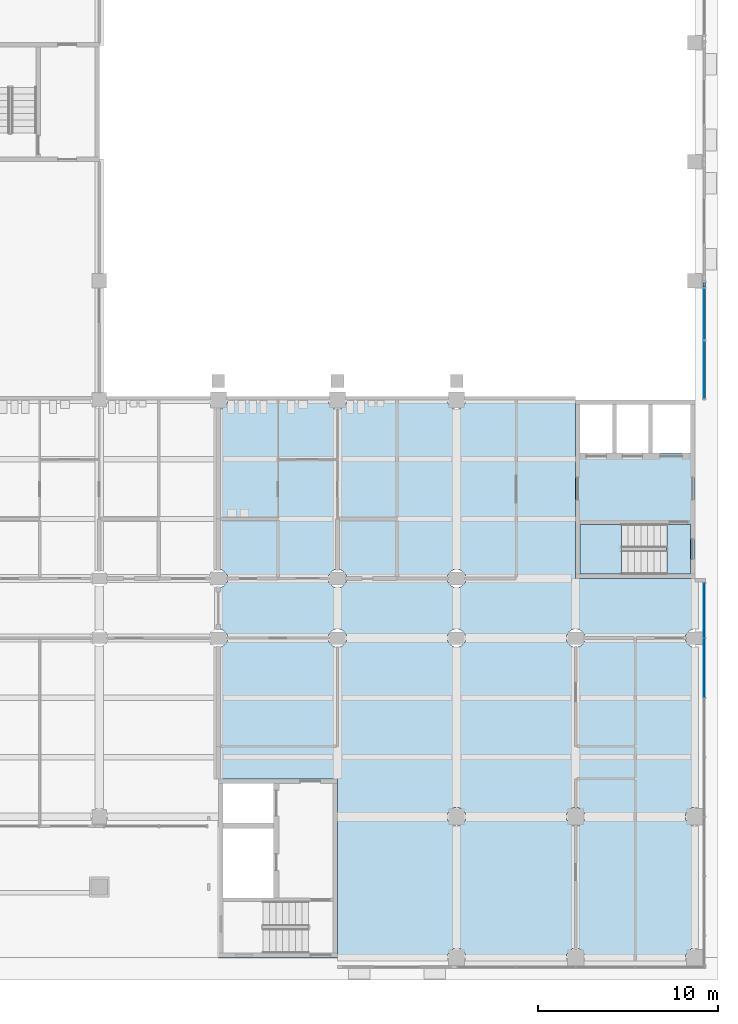
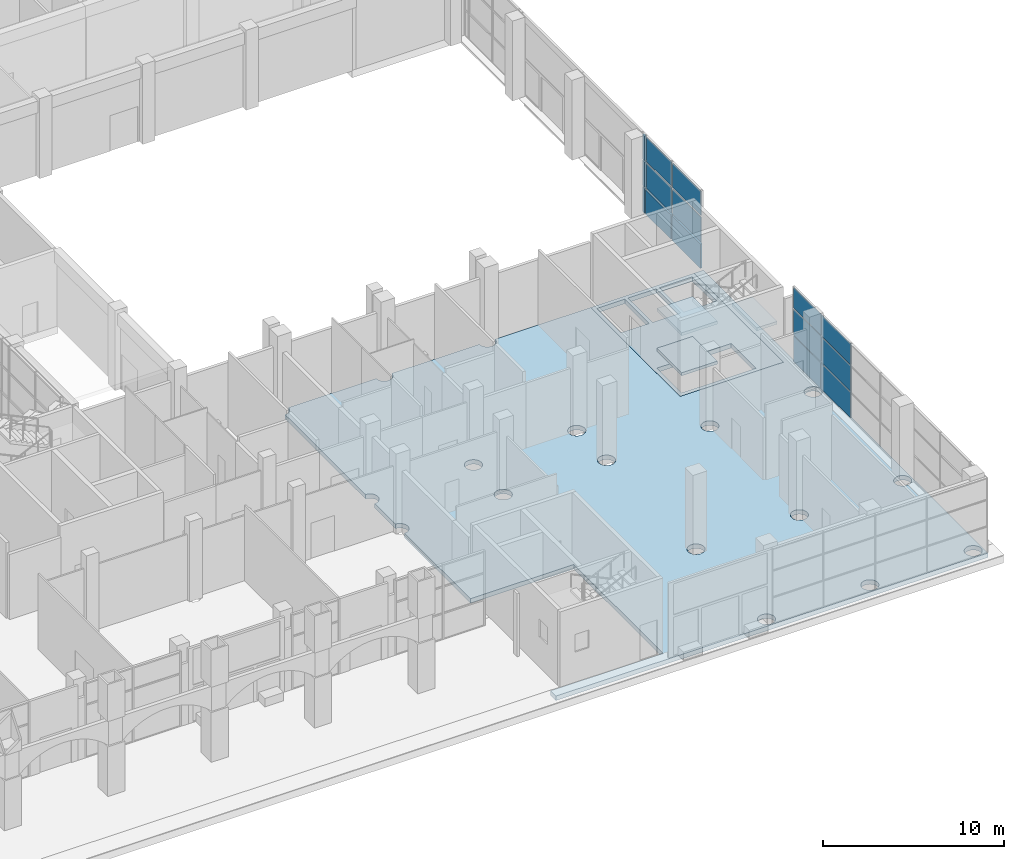
# One storey, part 22 of 85: 15 plates, 5 slabs, 3 elements without a shape of their own.
"""IFC4 building model written with IfcOpenShell, lengths in metres."""

from ifc_helpers import new_model, si_unit, direction, frame, origin, origin_2d, place, context, subcontext, project, spatial, polyline, rectangle, outline, extrude, material, layer, layer_set, type_object, element, aggregate, save


model = new_model("IFC4")

# Units and contexts
model_context = context("Model", 3, precision=1e-05, world=origin(), true_north=direction((0.0, 1.0)))
body_context = subcontext(model_context, "Body", "Model", "MODEL_VIEW")
ifc_project = project(units=[si_unit("LENGTHUNIT", "METRE"), si_unit("AREAUNIT", "SQUARE_METRE"), si_unit("VOLUMEUNIT", "CUBIC_METRE"), si_unit("PLANEANGLEUNIT", "RADIAN"), si_unit("MASSUNIT", "GRAM", prefix="KILO")], contexts=[model_context])

# Site, building, storey
site_placement = place(None, origin())
site = spatial("IfcSite", under=ifc_project, at=site_placement, CompositionType="ELEMENT")
building_placement = place(site_placement, origin())
building = spatial("IfcBuilding", under=site, at=building_placement, Name="Lantern Court Research Institute", CompositionType="ELEMENT")
storey_placement = place(building_placement, origin())
storey = spatial("IfcBuildingStorey", under=building, at=storey_placement, Name="L00", CompositionType="ELEMENT", Elevation=0.0)

# Curtain wall, plates
ifc_material_1 = material(Name="Aluminium alloy 6063-T6", Category="aluminium")
curtain_wall_type_1 = type_object("IfcCurtainWallType", Name="Curtain wall 6600 x 5400 x 150 aluminium frame", PredefinedType="NOTDEFINED", material=ifc_material_1)
curtain_wall_1_placement = place(storey_placement, origin())
curtain_wall_1 = element("IfcCurtainWall", 1, at=curtain_wall_1_placement, inside=storey, type_object=curtain_wall_type_1, Name="Curtain wall CW001", PredefinedType="NOTDEFINED")
ifc_material_2 = material(Name="Fire-resisting insulated aluminium spandrel panel", Category="aluminium")
ifc_layer_1 = layer(ifc_material_2, 0.1201171875)
ifc_layer_set_1 = layer_set([ifc_layer_1], Name="Fire-resisting insulated aluminium spandrel panel")
plate_type_1 = type_object("IfcPlateType", Name="Fire-resisting spandrel panel 120 mm", PredefinedType="CURTAIN_PANEL", material=ifc_layer_set_1)
plate_1_placement = place(storey_placement, frame((79.72509765625, 24.77490234375, 0.10009765625), z_axis=(0.0, 0.0, 1.0), x_axis=(0.0, -1.0, 0.0)))
plate_1 = element("IfcPlate", 2, at=plate_1_placement, type_object=plate_type_1, Name="CW001 spandrel panel 1.1", PredefinedType="CURTAIN_PANEL", context=body_context, shape_type="SweptSolid", body=[
    extrude(rectangle(XDim=3.14990234375, YDim=0.1201171875, at=origin_2d()), origin(), (0.0, 0.0, 1.0), 1.64990234375),
])
plate_2_placement = place(storey_placement, frame((79.72509765625, 27.85009765625, 0.10009765625), z_axis=(0.0, 0.0, 1.0), x_axis=(0.0, -1.0, 0.0)))
plate_2 = element("IfcPlate", 3, at=plate_2_placement, type_object=plate_type_1, Name="CW001 spandrel panel 2.1", PredefinedType="CURTAIN_PANEL", context=body_context, shape_type="SweptSolid", body=[
    extrude(rectangle(XDim=2.800048828125, YDim=0.1201171875, at=origin_2d()), origin(), (0.0, 0.0, 1.0), 1.64990234375),
])
plate_3_placement = place(storey_placement, frame((79.72509765625, 29.47509765625, 0.10009765625), z_axis=(0.0, 0.0, 1.0), x_axis=(0.0, -1.0, 0.0)))
plate_3 = element("IfcPlate", 4, at=plate_3_placement, type_object=plate_type_1, Name="CW001 spandrel panel 3.1", PredefinedType="CURTAIN_PANEL", context=body_context, shape_type="SweptSolid", body=[
    extrude(rectangle(XDim=0.25, YDim=0.1201171875, at=origin_2d()), origin(), (0.0, 0.0, 1.0), 1.64990234375),
])
plate_4_placement = place(storey_placement, frame((79.72509765625, 29.47509765625, 1.85009765625), z_axis=(0.0, 0.0, 1.0), x_axis=(0.0, -1.0, 0.0)))
plate_4 = element("IfcPlate", 5, at=plate_4_placement, type_object=plate_type_1, Name="CW001 spandrel panel 3.2", PredefinedType="CURTAIN_PANEL", context=body_context, shape_type="SweptSolid", body=[
    extrude(rectangle(XDim=0.25, YDim=0.1201171875, at=origin_2d()), origin(), (0.0, 0.0, 1.0), 1.699951171875),
])
plate_5_placement = place(storey_placement, frame((79.72509765625, 29.47509765625, 3.650146484375), z_axis=(0.0, 0.0, 1.0), x_axis=(0.0, -1.0, 0.0)))
plate_5 = element("IfcPlate", 6, at=plate_5_placement, type_object=plate_type_1, Name="CW001 spandrel panel 3.3", PredefinedType="CURTAIN_PANEL", context=body_context, shape_type="SweptSolid", body=[
    extrude(rectangle(XDim=0.25, YDim=0.1201171875, at=origin_2d()), origin(), (0.0, 0.0, 1.0), 1.64990234375),
])

ifc_material_3 = material(Name="Aluminium alloy 6063-T6", Category="aluminium")
curtain_wall_type_2 = type_object("IfcCurtainWallType", Name="Curtain wall 21250 x 5100 x 150 aluminium frame", PredefinedType="NOTDEFINED", material=ifc_material_3)
curtain_wall_2_placement = place(storey_placement, origin())
curtain_wall_2 = element("IfcCurtainWall", 7, at=curtain_wall_2_placement, inside=storey, type_object=curtain_wall_type_2, Name="Curtain wall CW014", PredefinedType="NOTDEFINED")
ifc_material_4 = material(Name="Insulated aluminium spandrel panel", Category="aluminium")
ifc_layer_2 = layer(ifc_material_4, 0.080078125)
ifc_layer_set_2 = layer_set([ifc_layer_2], Name="Insulated aluminium spandrel panel")
plate_type_2 = type_object("IfcPlateType", Name="Insulated spandrel panel 80 mm", PredefinedType="CURTAIN_PANEL", material=ifc_layer_set_2)
plate_6_placement = place(storey_placement, frame((79.72509765625, 8.25, 0.06005859375), z_axis=(0.0, 0.0, 1.0), x_axis=(0.0, -1.0, 0.0)))
plate_6 = element("IfcPlate", 8, at=plate_6_placement, type_object=plate_type_2, Name="CW014 spandrel panel 6.1", PredefinedType="CURTAIN_PANEL", context=body_context, shape_type="SweptSolid", body=[
    extrude(rectangle(XDim=3.239990234375, YDim=0.080078125, at=origin_2d()), origin(), (0.0, 0.0, 1.0), 1.7099609375),
])
plate_7_placement = place(storey_placement, frame((79.72509765625, 11.43505859375, 0.06005859375), z_axis=(0.0, 0.0, 1.0), x_axis=(0.0, -1.0, 0.0)))
plate_7 = element("IfcPlate", 9, at=plate_7_placement, type_object=plate_type_2, Name="CW014 spandrel panel 7.1", PredefinedType="CURTAIN_PANEL", context=body_context, shape_type="SweptSolid", body=[
    extrude(rectangle(XDim=3.010009765625, YDim=0.080078125, at=origin_2d()), origin(), (0.0, 0.0, 1.0), 1.7099609375),
])

# Plate
ifc_material_5 = material(Name="Laminated low-emissivity glass", Category="glass")
ifc_layer_3 = layer(ifc_material_5, 0.028076171875)
ifc_layer_set_3 = layer_set([ifc_layer_3], Name="Laminated low-emissivity glass")
plate_type_3 = type_object("IfcPlateType", Name="Laminated low-emissivity unit 28 mm", PredefinedType="CURTAIN_PANEL", material=ifc_layer_set_3)
plate_8_placement = place(storey_placement, frame((79.72509765625, 24.77490234375, 1.85009765625), z_axis=(0.0, 0.0, 1.0), x_axis=(0.0, -1.0, 0.0)))
plate_8 = element("IfcPlate", 10, at=plate_8_placement, type_object=plate_type_3, Name="CW001 glazed panel 1.2", PredefinedType="CURTAIN_PANEL", context=body_context, shape_type="SweptSolid", body=[
    extrude(rectangle(XDim=3.14990234375, YDim=0.028076171875, at=origin_2d()), origin(), (0.0, 0.0, 1.0), 1.699951171875),
])

plate_9_placement = place(storey_placement, frame((79.72509765625, 24.77490234375, 3.650146484375), z_axis=(0.0, 0.0, 1.0), x_axis=(0.0, -1.0, 0.0)))
plate_9 = element("IfcPlate", 11, at=plate_9_placement, type_object=plate_type_3, Name="CW001 glazed panel 1.3", PredefinedType="CURTAIN_PANEL", context=body_context, shape_type="SweptSolid", body=[
    extrude(rectangle(XDim=3.14990234375, YDim=0.028076171875, at=origin_2d()), origin(), (0.0, 0.0, 1.0), 1.64990234375),
])

plate_10_placement = place(storey_placement, frame((79.72509765625, 27.85009765625, 1.85009765625), z_axis=(0.0, 0.0, 1.0), x_axis=(0.0, -1.0, 0.0)))
plate_10 = element("IfcPlate", 12, at=plate_10_placement, type_object=plate_type_3, Name="CW001 glazed panel 2.2", PredefinedType="CURTAIN_PANEL", context=body_context, shape_type="SweptSolid", body=[
    extrude(rectangle(XDim=2.800048828125, YDim=0.028076171875, at=origin_2d()), origin(), (0.0, 0.0, 1.0), 1.699951171875),
])

plate_11_placement = place(storey_placement, frame((79.72509765625, 27.85009765625, 3.650146484375), z_axis=(0.0, 0.0, 1.0), x_axis=(0.0, -1.0, 0.0)))
plate_11 = element("IfcPlate", 13, at=plate_11_placement, type_object=plate_type_3, Name="CW001 glazed panel 2.3", PredefinedType="CURTAIN_PANEL", context=body_context, shape_type="SweptSolid", body=[
    extrude(rectangle(XDim=2.800048828125, YDim=0.028076171875, at=origin_2d()), origin(), (0.0, 0.0, 1.0), 1.64990234375),
])

aggregate(curtain_wall_1, [plate_1, plate_8, plate_9, plate_2, plate_10, plate_11, plate_3, plate_4, plate_5])

# Slabs
ifc_material_6 = material(Name="Concrete C35/45", Category="concrete")
ifc_layer_4 = layer(ifc_material_6, 0.300048828125)
ifc_layer_set_4 = layer_set([ifc_layer_4], Name="Concrete C35/45")
slab_type_1 = type_object("IfcSlabType", Name="RC core floor slab 300", PredefinedType="FLOOR", material=ifc_layer_set_4)
slab_1_placement = place(storey_placement, frame((0.0, 0.0, -0.300048828125)))
element("IfcSlab", 14, at=slab_1_placement, inside=storey, type_object=slab_type_1, Name="Floor of core TC-E", PredefinedType="FLOOR", context=body_context, shape_type="SweptSolid", body=[
    extrude(outline(polyline([(72.60009765625, 13.199951171875), (79.199951171875, 13.199951171875), (79.199951171875, 23.10009765625), (72.60009765625, 23.10009765625), (72.60009765625, 13.199951171875)]), holes=[polyline([(77.60009765625, 16.199951171875), (72.85009765625, 16.199951171875), (72.85009765625, 13.449951171875), (77.60009765625, 13.449951171875), (77.60009765625, 16.199951171875)]), polyline([(72.85009765625, 20.14990234375), (74.64990234375, 20.14990234375), (74.64990234375, 22.85009765625), (72.85009765625, 22.85009765625), (72.85009765625, 20.14990234375)]), polyline([(74.85009765625, 20.14990234375), (76.64990234375, 20.14990234375), (76.64990234375, 22.85009765625), (74.85009765625, 22.85009765625), (74.85009765625, 20.14990234375)]), polyline([(76.85009765625, 20.14990234375), (78.949951171875, 20.14990234375), (78.949951171875, 22.85009765625), (76.85009765625, 22.85009765625), (76.85009765625, 20.14990234375)])]), origin(), (0.0, 0.0, 1.0), 0.300048828125),
])
ifc_material_7 = material(Name="Concrete C35/45", Category="concrete")
ifc_layer_5 = layer(ifc_material_7, 0.300048828125)
ifc_layer_set_5 = layer_set([ifc_layer_5], Name="Concrete C35/45")
slab_type_2 = type_object("IfcSlabType", Name="RC floor slab 300 over car park", PredefinedType="FLOOR", material=ifc_layer_set_5)
slab_2_placement = place(storey_placement, frame((0.0, 0.0, -0.300048828125)))
element("IfcSlab", 15, at=slab_2_placement, inside=storey, type_object=slab_type_2, Name="Floor slab L00 Dry Laboratory and Clean Room Tower", PredefinedType="FLOOR", context=body_context, shape_type="SweptSolid", body=[
    extrude(outline(polyline([(52.800048828125, -7.800048828125), (52.199951171875, -7.800048828125), (52.199951171875, -8.39990234375), (79.800048828125, -8.39990234375), (79.800048828125, -7.800048828125), (79.800048828125, 23.10009765625), (79.199951171875, 23.10009765625), (79.199951171875, 13.199951171875), (72.60009765625, 13.199951171875), (72.60009765625, 23.10009765625), (66.50244140625, 23.10009765625), (66.492919921875, 23.001953125), (66.464111328125, 22.90771484375), (66.417724609375, 22.82080078125), (66.355224609375, 22.74462890625), (66.279052734375, 22.682373046875), (66.1923828125, 22.6357421875), (66.097900390625, 22.607177734375), (66.0, 22.59765625), (65.902099609375, 22.607177734375), (65.8076171875, 22.6357421875), (65.720947265625, 22.682373046875), (65.644775390625, 22.74462890625), (65.582275390625, 22.82080078125), (65.535888671875, 22.90771484375), (65.507080078125, 23.001953125), (65.49755859375, 23.10009765625), (59.90234375, 23.10009765625), (59.892822265625, 23.001953125), (59.8642578125, 22.90771484375), (59.817626953125, 22.82080078125), (59.75537109375, 22.74462890625), (59.67919921875, 22.682373046875), (59.59228515625, 22.6357421875), (59.498046875, 22.607177734375), (59.39990234375, 22.59765625), (59.302001953125, 22.607177734375), (59.207763671875, 22.6357421875), (59.120849609375, 22.682373046875), (59.044677734375, 22.74462890625), (58.982421875, 22.82080078125), (58.935791015625, 22.90771484375), (58.9072265625, 23.001953125), (58.897705078125, 23.10009765625), (53.302490234375, 23.10009765625), (53.292724609375, 23.001953125), (53.26416015625, 22.90771484375), (53.2177734375, 22.82080078125), (53.1552734375, 22.74462890625), (53.0791015625, 22.682373046875), (52.9921875, 22.6357421875), (52.89794921875, 22.607177734375), (52.800048828125, 22.59765625), (52.800048828125, 13.702392578125), (52.89794921875, 13.69287109375), (52.9921875, 13.664306640625), (53.0791015625, 13.61767578125), (53.1552734375, 13.555419921875), (53.2177734375, 13.47900390625), (53.26416015625, 13.392333984375), (53.292724609375, 13.298095703125), (53.302490234375, 13.199951171875), (53.292724609375, 13.10205078125), (53.26416015625, 13.0078125), (53.2177734375, 12.9208984375), (53.1552734375, 12.8447265625), (53.0791015625, 12.7822265625), (52.9921875, 12.73583984375), (52.89794921875, 12.707275390625), (52.800048828125, 12.697509765625), (52.800048828125, 10.40234375), (52.89794921875, 10.392822265625), (52.9921875, 10.3642578125), (53.0791015625, 10.317626953125), (53.1552734375, 10.25537109375), (53.2177734375, 10.17919921875), (53.26416015625, 10.09228515625), (53.292724609375, 9.998046875), (53.302490234375, 9.89990234375), (53.292724609375, 9.802001953125), (53.26416015625, 9.707763671875), (53.2177734375, 9.620849609375), (53.1552734375, 9.544677734375), (53.0791015625, 9.482421875), (52.9921875, 9.435791015625), (52.89794921875, 9.4072265625), (52.800048828125, 9.397705078125), (52.800048828125, 2.10009765625), (59.39990234375, 2.10009765625), (59.39990234375, -7.800048828125), (52.800048828125, -7.800048828125)]), holes=[polyline([(59.817626953125, 9.620849609375), (59.75537109375, 9.544677734375), (59.67919921875, 9.482421875), (59.59228515625, 9.435791015625), (59.498046875, 9.4072265625), (59.39990234375, 9.397705078125), (59.302001953125, 9.4072265625), (59.207763671875, 9.435791015625), (59.120849609375, 9.482421875), (59.044677734375, 9.544677734375), (58.982421875, 9.620849609375), (58.935791015625, 9.707763671875), (58.9072265625, 9.802001953125), (58.897705078125, 9.89990234375), (58.9072265625, 9.998046875), (58.935791015625, 10.09228515625), (58.982421875, 10.17919921875), (59.044677734375, 10.25537109375), (59.120849609375, 10.317626953125), (59.207763671875, 10.3642578125), (59.302001953125, 10.392822265625), (59.39990234375, 10.40234375), (59.498046875, 10.392822265625), (59.59228515625, 10.3642578125), (59.67919921875, 10.317626953125), (59.75537109375, 10.25537109375), (59.817626953125, 10.17919921875), (59.8642578125, 10.09228515625), (59.892822265625, 9.998046875), (59.90234375, 9.89990234375), (59.892822265625, 9.802001953125), (59.8642578125, 9.707763671875), (59.817626953125, 9.620849609375)]), polyline([(59.817626953125, 12.9208984375), (59.75537109375, 12.8447265625), (59.67919921875, 12.7822265625), (59.59228515625, 12.73583984375), (59.498046875, 12.707275390625), (59.39990234375, 12.697509765625), (59.302001953125, 12.707275390625), (59.207763671875, 12.73583984375), (59.120849609375, 12.7822265625), (59.044677734375, 12.8447265625), (58.982421875, 12.9208984375), (58.935791015625, 13.0078125), (58.9072265625, 13.10205078125), (58.897705078125, 13.199951171875), (58.9072265625, 13.298095703125), (58.935791015625, 13.392333984375), (58.982421875, 13.47900390625), (59.044677734375, 13.555419921875), (59.120849609375, 13.61767578125), (59.207763671875, 13.664306640625), (59.302001953125, 13.69287109375), (59.39990234375, 13.702392578125), (59.498046875, 13.69287109375), (59.59228515625, 13.664306640625), (59.67919921875, 13.61767578125), (59.75537109375, 13.555419921875), (59.817626953125, 13.47900390625), (59.8642578125, 13.392333984375), (59.892822265625, 13.298095703125), (59.90234375, 13.199951171875), (59.892822265625, 13.10205078125), (59.8642578125, 13.0078125), (59.817626953125, 12.9208984375)]), polyline([(66.417724609375, -8.0791015625), (66.355224609375, -8.1552734375), (66.279052734375, -8.2177734375), (66.1923828125, -8.26416015625), (66.097900390625, -8.292724609375), (66.0, -8.302490234375), (65.902099609375, -8.292724609375), (65.8076171875, -8.26416015625), (65.720947265625, -8.2177734375), (65.644775390625, -8.1552734375), (65.582275390625, -8.0791015625), (65.535888671875, -7.9921875), (65.507080078125, -7.89794921875), (65.49755859375, -7.800048828125), (65.507080078125, -7.701904296875), (65.535888671875, -7.607666015625), (65.582275390625, -7.52099609375), (65.644775390625, -7.444580078125), (65.720947265625, -7.38232421875), (65.8076171875, -7.335693359375), (65.902099609375, -7.30712890625), (66.0, -7.297607421875), (66.097900390625, -7.30712890625), (66.1923828125, -7.335693359375), (66.279052734375, -7.38232421875), (66.355224609375, -7.444580078125), (66.417724609375, -7.52099609375), (66.464111328125, -7.607666015625), (66.492919921875, -7.701904296875), (66.50244140625, -7.800048828125), (66.492919921875, -7.89794921875), (66.464111328125, -7.9921875), (66.417724609375, -8.0791015625)]), polyline([(73.017578125, -8.0791015625), (72.955322265625, -8.1552734375), (72.879150390625, -8.2177734375), (72.792236328125, -8.26416015625), (72.697998046875, -8.292724609375), (72.60009765625, -8.302490234375), (72.501953125, -8.292724609375), (72.40771484375, -8.26416015625), (72.32080078125, -8.2177734375), (72.24462890625, -8.1552734375), (72.182373046875, -8.0791015625), (72.1357421875, -7.9921875), (72.107177734375, -7.89794921875), (72.09765625, -7.800048828125), (72.107177734375, -7.701904296875), (72.1357421875, -7.607666015625), (72.182373046875, -7.52099609375), (72.24462890625, -7.444580078125), (72.32080078125, -7.38232421875), (72.40771484375, -7.335693359375), (72.501953125, -7.30712890625), (72.60009765625, -7.297607421875), (72.697998046875, -7.30712890625), (72.792236328125, -7.335693359375), (72.879150390625, -7.38232421875), (72.955322265625, -7.444580078125), (73.017578125, -7.52099609375), (73.064208984375, -7.607666015625), (73.0927734375, -7.701904296875), (73.102294921875, -7.800048828125), (73.0927734375, -7.89794921875), (73.064208984375, -7.9921875), (73.017578125, -8.0791015625)]), polyline([(79.61767578125, -8.0791015625), (79.555419921875, -8.1552734375), (79.47900390625, -8.2177734375), (79.392333984375, -8.26416015625), (79.298095703125, -8.292724609375), (79.199951171875, -8.302490234375), (79.10205078125, -8.292724609375), (79.0078125, -8.26416015625), (78.9208984375, -8.2177734375), (78.8447265625, -8.1552734375), (78.7822265625, -8.0791015625), (78.73583984375, -7.9921875), (78.707275390625, -7.89794921875), (78.697509765625, -7.800048828125), (78.707275390625, -7.701904296875), (78.73583984375, -7.607666015625), (78.7822265625, -7.52099609375), (78.8447265625, -7.444580078125), (78.9208984375, -7.38232421875), (79.0078125, -7.335693359375), (79.10205078125, -7.30712890625), (79.199951171875, -7.297607421875), (79.298095703125, -7.30712890625), (79.392333984375, -7.335693359375), (79.47900390625, -7.38232421875), (79.555419921875, -7.444580078125), (79.61767578125, -7.52099609375), (79.664306640625, -7.607666015625), (79.69287109375, -7.701904296875), (79.702392578125, -7.800048828125), (79.69287109375, -7.89794921875), (79.664306640625, -7.9921875), (79.61767578125, -8.0791015625)]), polyline([(66.417724609375, -0.279052734375), (66.355224609375, -0.355224609375), (66.279052734375, -0.417724609375), (66.1923828125, -0.464111328125), (66.097900390625, -0.492919921875), (66.0, -0.50244140625), (65.902099609375, -0.492919921875), (65.8076171875, -0.464111328125), (65.720947265625, -0.417724609375), (65.644775390625, -0.355224609375), (65.582275390625, -0.279052734375), (65.535888671875, -0.1923828125), (65.507080078125, -0.097900390625), (65.49755859375, 0.0), (65.507080078125, 0.097900390625), (65.535888671875, 0.1923828125), (65.582275390625, 0.279052734375), (65.644775390625, 0.355224609375), (65.720947265625, 0.417724609375), (65.8076171875, 0.464111328125), (65.902099609375, 0.492919921875), (66.0, 0.50244140625), (66.097900390625, 0.492919921875), (66.1923828125, 0.464111328125), (66.279052734375, 0.417724609375), (66.355224609375, 0.355224609375), (66.417724609375, 0.279052734375), (66.464111328125, 0.1923828125), (66.492919921875, 0.097900390625), (66.50244140625, 0.0), (66.492919921875, -0.097900390625), (66.464111328125, -0.1923828125), (66.417724609375, -0.279052734375)]), polyline([(73.017578125, -0.279052734375), (72.955322265625, -0.355224609375), (72.879150390625, -0.417724609375), (72.792236328125, -0.464111328125), (72.697998046875, -0.492919921875), (72.60009765625, -0.50244140625), (72.501953125, -0.492919921875), (72.40771484375, -0.464111328125), (72.32080078125, -0.417724609375), (72.24462890625, -0.355224609375), (72.182373046875, -0.279052734375), (72.1357421875, -0.1923828125), (72.107177734375, -0.097900390625), (72.09765625, 0.0), (72.107177734375, 0.097900390625), (72.1357421875, 0.1923828125), (72.182373046875, 0.279052734375), (72.24462890625, 0.355224609375), (72.32080078125, 0.417724609375), (72.40771484375, 0.464111328125), (72.501953125, 0.492919921875), (72.60009765625, 0.50244140625), (72.697998046875, 0.492919921875), (72.792236328125, 0.464111328125), (72.879150390625, 0.417724609375), (72.955322265625, 0.355224609375), (73.017578125, 0.279052734375), (73.064208984375, 0.1923828125), (73.0927734375, 0.097900390625), (73.102294921875, 0.0), (73.0927734375, -0.097900390625), (73.064208984375, -0.1923828125), (73.017578125, -0.279052734375)]), polyline([(79.61767578125, -0.279052734375), (79.555419921875, -0.355224609375), (79.47900390625, -0.417724609375), (79.392333984375, -0.464111328125), (79.298095703125, -0.492919921875), (79.199951171875, -0.50244140625), (79.10205078125, -0.492919921875), (79.0078125, -0.464111328125), (78.9208984375, -0.417724609375), (78.8447265625, -0.355224609375), (78.7822265625, -0.279052734375), (78.73583984375, -0.1923828125), (78.707275390625, -0.097900390625), (78.697509765625, 0.0), (78.707275390625, 0.097900390625), (78.73583984375, 0.1923828125), (78.7822265625, 0.279052734375), (78.8447265625, 0.355224609375), (78.9208984375, 0.417724609375), (79.0078125, 0.464111328125), (79.10205078125, 0.492919921875), (79.199951171875, 0.50244140625), (79.298095703125, 0.492919921875), (79.392333984375, 0.464111328125), (79.47900390625, 0.417724609375), (79.555419921875, 0.355224609375), (79.61767578125, 0.279052734375), (79.664306640625, 0.1923828125), (79.69287109375, 0.097900390625), (79.702392578125, 0.0), (79.69287109375, -0.097900390625), (79.664306640625, -0.1923828125), (79.61767578125, -0.279052734375)]), polyline([(66.417724609375, 9.620849609375), (66.355224609375, 9.544677734375), (66.279052734375, 9.482421875), (66.1923828125, 9.435791015625), (66.097900390625, 9.4072265625), (66.0, 9.397705078125), (65.902099609375, 9.4072265625), (65.8076171875, 9.435791015625), (65.720947265625, 9.482421875), (65.644775390625, 9.544677734375), (65.582275390625, 9.620849609375), (65.535888671875, 9.707763671875), (65.507080078125, 9.802001953125), (65.49755859375, 9.89990234375), (65.507080078125, 9.998046875), (65.535888671875, 10.09228515625), (65.582275390625, 10.17919921875), (65.644775390625, 10.25537109375), (65.720947265625, 10.317626953125), (65.8076171875, 10.3642578125), (65.902099609375, 10.392822265625), (66.0, 10.40234375), (66.097900390625, 10.392822265625), (66.1923828125, 10.3642578125), (66.279052734375, 10.317626953125), (66.355224609375, 10.25537109375), (66.417724609375, 10.17919921875), (66.464111328125, 10.09228515625), (66.492919921875, 9.998046875), (66.50244140625, 9.89990234375), (66.492919921875, 9.802001953125), (66.464111328125, 9.707763671875), (66.417724609375, 9.620849609375)]), polyline([(73.017578125, 9.620849609375), (72.955322265625, 9.544677734375), (72.879150390625, 9.482421875), (72.792236328125, 9.435791015625), (72.697998046875, 9.4072265625), (72.60009765625, 9.397705078125), (72.501953125, 9.4072265625), (72.40771484375, 9.435791015625), (72.32080078125, 9.482421875), (72.24462890625, 9.544677734375), (72.182373046875, 9.620849609375), (72.1357421875, 9.707763671875), (72.107177734375, 9.802001953125), (72.09765625, 9.89990234375), (72.107177734375, 9.998046875), (72.1357421875, 10.09228515625), (72.182373046875, 10.17919921875), (72.24462890625, 10.25537109375), (72.32080078125, 10.317626953125), (72.40771484375, 10.3642578125), (72.501953125, 10.392822265625), (72.60009765625, 10.40234375), (72.697998046875, 10.392822265625), (72.792236328125, 10.3642578125), (72.879150390625, 10.317626953125), (72.955322265625, 10.25537109375), (73.017578125, 10.17919921875), (73.064208984375, 10.09228515625), (73.0927734375, 9.998046875), (73.102294921875, 9.89990234375), (73.0927734375, 9.802001953125), (73.064208984375, 9.707763671875), (73.017578125, 9.620849609375)]), polyline([(79.61767578125, 9.620849609375), (79.555419921875, 9.544677734375), (79.47900390625, 9.482421875), (79.392333984375, 9.435791015625), (79.298095703125, 9.4072265625), (79.199951171875, 9.397705078125), (79.10205078125, 9.4072265625), (79.0078125, 9.435791015625), (78.9208984375, 9.482421875), (78.8447265625, 9.544677734375), (78.7822265625, 9.620849609375), (78.73583984375, 9.707763671875), (78.707275390625, 9.802001953125), (78.697509765625, 9.89990234375), (78.707275390625, 9.998046875), (78.73583984375, 10.09228515625), (78.7822265625, 10.17919921875), (78.8447265625, 10.25537109375), (78.9208984375, 10.317626953125), (79.0078125, 10.3642578125), (79.10205078125, 10.392822265625), (79.199951171875, 10.40234375), (79.298095703125, 10.392822265625), (79.392333984375, 10.3642578125), (79.47900390625, 10.317626953125), (79.555419921875, 10.25537109375), (79.61767578125, 10.17919921875), (79.664306640625, 10.09228515625), (79.69287109375, 9.998046875), (79.702392578125, 9.89990234375), (79.69287109375, 9.802001953125), (79.664306640625, 9.707763671875), (79.61767578125, 9.620849609375)]), polyline([(66.417724609375, 12.9208984375), (66.355224609375, 12.8447265625), (66.279052734375, 12.7822265625), (66.1923828125, 12.73583984375), (66.097900390625, 12.707275390625), (66.0, 12.697509765625), (65.902099609375, 12.707275390625), (65.8076171875, 12.73583984375), (65.720947265625, 12.7822265625), (65.644775390625, 12.8447265625), (65.582275390625, 12.9208984375), (65.535888671875, 13.0078125), (65.507080078125, 13.10205078125), (65.49755859375, 13.199951171875), (65.507080078125, 13.298095703125), (65.535888671875, 13.392333984375), (65.582275390625, 13.47900390625), (65.644775390625, 13.555419921875), (65.720947265625, 13.61767578125), (65.8076171875, 13.664306640625), (65.902099609375, 13.69287109375), (66.0, 13.702392578125), (66.097900390625, 13.69287109375), (66.1923828125, 13.664306640625), (66.279052734375, 13.61767578125), (66.355224609375, 13.555419921875), (66.417724609375, 13.47900390625), (66.464111328125, 13.392333984375), (66.492919921875, 13.298095703125), (66.50244140625, 13.199951171875), (66.492919921875, 13.10205078125), (66.464111328125, 13.0078125), (66.417724609375, 12.9208984375)])]), origin(), (0.0, 0.0, 1.0), 0.300048828125),
])

# Stair, slabs
ifc_material_8 = material(Name="Concrete C40/50", Category="concrete")
stair_type = type_object("IfcStairType", Name="RC half-turn stair 1300 wide, 5400 rise, 6100 shaft", PredefinedType="HALF_TURN_STAIR", material=ifc_material_8)
stair_placement = place(storey_placement, origin())
stair = element("IfcStair", 16, at=stair_placement, inside=storey, type_object=stair_type, Name="L00 stair ST-T2", PredefinedType="HALF_TURN_STAIR")
ifc_material_9 = material(Name="Concrete C40/50", Category="concrete")
ifc_layer_6 = layer(ifc_material_9, 0.199951171875)
ifc_layer_set_6 = layer_set([ifc_layer_6], Name="Concrete C40/50")
slab_type_3 = type_object("IfcSlabType", Name="RC stair landing 200", PredefinedType="LANDING", material=ifc_layer_set_6)
slab_3_placement = place(storey_placement, frame((0.0, 0.0, 1.14990234375)))
slab_3 = element("IfcSlab", 17, at=slab_3_placement, type_object=slab_type_3, Name="ST-T2 landing 1", PredefinedType="LANDING", context=body_context, shape_type="SweptSolid", body=[
    extrude(outline(polyline([(75.1298828125, 16.199951171875), (72.85009765625, 16.199951171875), (72.85009765625, 13.449951171875), (75.1298828125, 13.449951171875), (75.1298828125, 16.199951171875)])), origin(), (0.0, 0.0, 1.0), 0.2001953125),
])
slab_4_placement = place(storey_placement, frame((0.0, 0.0, 2.5)))
slab_4 = element("IfcSlab", 18, at=slab_4_placement, type_object=slab_type_3, Name="ST-T2 landing 2", PredefinedType="LANDING", context=body_context, shape_type="SweptSolid", body=[
    extrude(outline(polyline([(78.949951171875, 16.199951171875), (77.64990234375, 16.199951171875), (77.64990234375, 13.449951171875), (78.949951171875, 13.449951171875), (78.949951171875, 16.199951171875)])), origin(), (0.0, 0.0, 1.0), 0.199951171875),
])
slab_5_placement = place(storey_placement, frame((0.0, 0.0, 3.85009765625)))
slab_5 = element("IfcSlab", 19, at=slab_5_placement, type_object=slab_type_3, Name="ST-T2 landing 3", PredefinedType="LANDING", context=body_context, shape_type="SweptSolid", body=[
    extrude(outline(polyline([(75.1298828125, 16.199951171875), (72.85009765625, 16.199951171875), (72.85009765625, 13.449951171875), (75.1298828125, 13.449951171875), (75.1298828125, 16.199951171875)])), origin(), (0.0, 0.0, 1.0), 0.199951171875),
])
aggregate(stair, [slab_3, slab_4, slab_5])

# Plate
ifc_material_10 = material(Name="Laminated low-emissivity glass", Category="glass")
ifc_layer_7 = layer(ifc_material_10, 0.035888671875)
ifc_layer_set_7 = layer_set([ifc_layer_7], Name="Laminated low-emissivity glass")
plate_type_4 = type_object("IfcPlateType", Name="Solar control laminated unit 36 mm", PredefinedType="CURTAIN_PANEL", material=ifc_layer_set_7)
plate_12_placement = place(storey_placement, frame((79.72509765625, 8.25, 1.830078125), z_axis=(0.0, 0.0, 1.0), x_axis=(0.0, -1.0, 0.0)))
plate_12 = element("IfcPlate", 20, at=plate_12_placement, type_object=plate_type_4, Name="CW014 glazed panel 6.2", PredefinedType="CURTAIN_PANEL", context=body_context, shape_type="SweptSolid", body=[
    extrude(rectangle(XDim=3.239990234375, YDim=0.035888671875, at=origin_2d()), origin(), (0.0, 0.0, 1.0), 1.739990234375),
])

plate_13_placement = place(storey_placement, frame((79.72509765625, 8.25, 3.6298828125), z_axis=(0.0, 0.0, 1.0), x_axis=(0.0, -1.0, 0.0)))
plate_13 = element("IfcPlate", 21, at=plate_13_placement, type_object=plate_type_4, Name="CW014 glazed panel 6.3", PredefinedType="CURTAIN_PANEL", context=body_context, shape_type="SweptSolid", body=[
    extrude(rectangle(XDim=3.239990234375, YDim=0.035888671875, at=origin_2d()), origin(), (0.0, 0.0, 1.0), 1.409912109375),
])

plate_14_placement = place(storey_placement, frame((79.72509765625, 11.43505859375, 1.830078125), z_axis=(0.0, 0.0, 1.0), x_axis=(0.0, -1.0, 0.0)))
plate_14 = element("IfcPlate", 22, at=plate_14_placement, type_object=plate_type_4, Name="CW014 glazed panel 7.2", PredefinedType="CURTAIN_PANEL", context=body_context, shape_type="SweptSolid", body=[
    extrude(rectangle(XDim=3.010009765625, YDim=0.035888671875, at=origin_2d()), origin(), (0.0, 0.0, 1.0), 1.739990234375),
])

plate_15_placement = place(storey_placement, frame((79.72509765625, 11.43505859375, 3.6298828125), z_axis=(0.0, 0.0, 1.0), x_axis=(0.0, -1.0, 0.0)))
plate_15 = element("IfcPlate", 23, at=plate_15_placement, type_object=plate_type_4, Name="CW014 glazed panel 7.3", PredefinedType="CURTAIN_PANEL", context=body_context, shape_type="SweptSolid", body=[
    extrude(rectangle(XDim=3.010009765625, YDim=0.035888671875, at=origin_2d()), origin(), (0.0, 0.0, 1.0), 1.409912109375),
])

aggregate(curtain_wall_2, [plate_6, plate_12, plate_13, plate_7, plate_14, plate_15])

save(model, "model.ifc")
